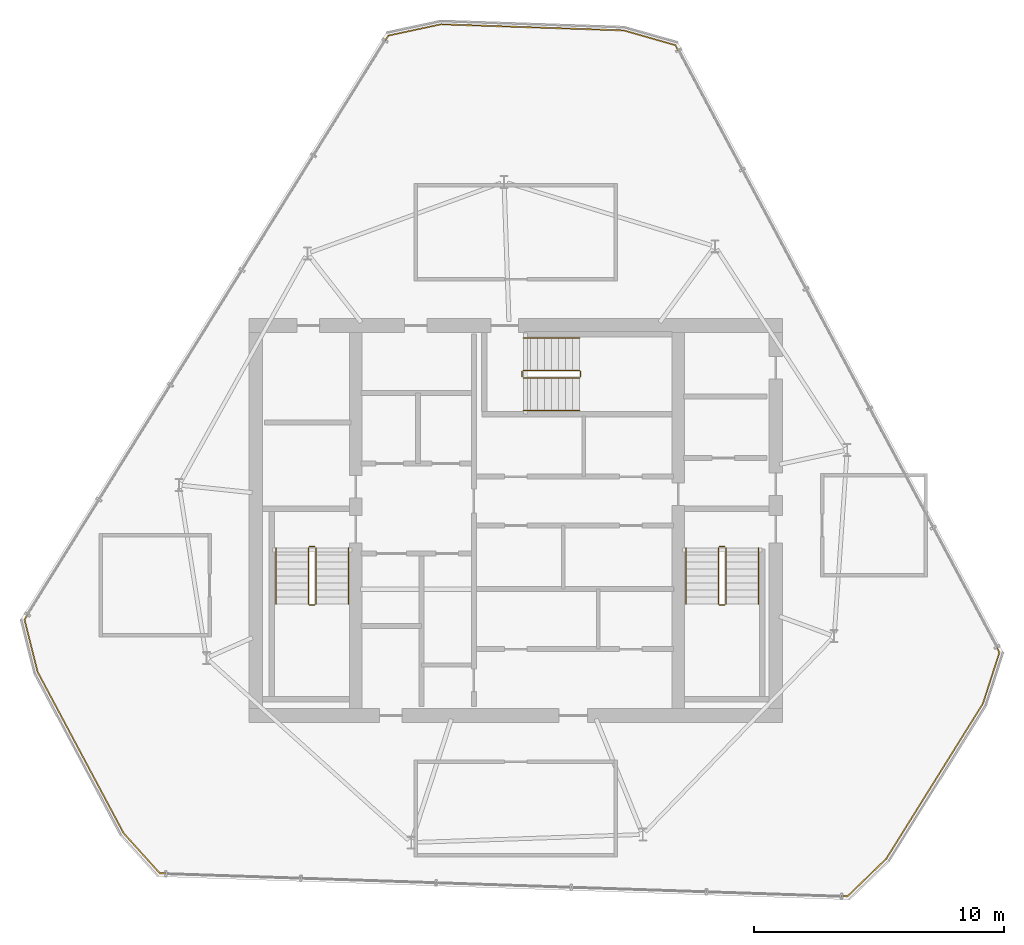
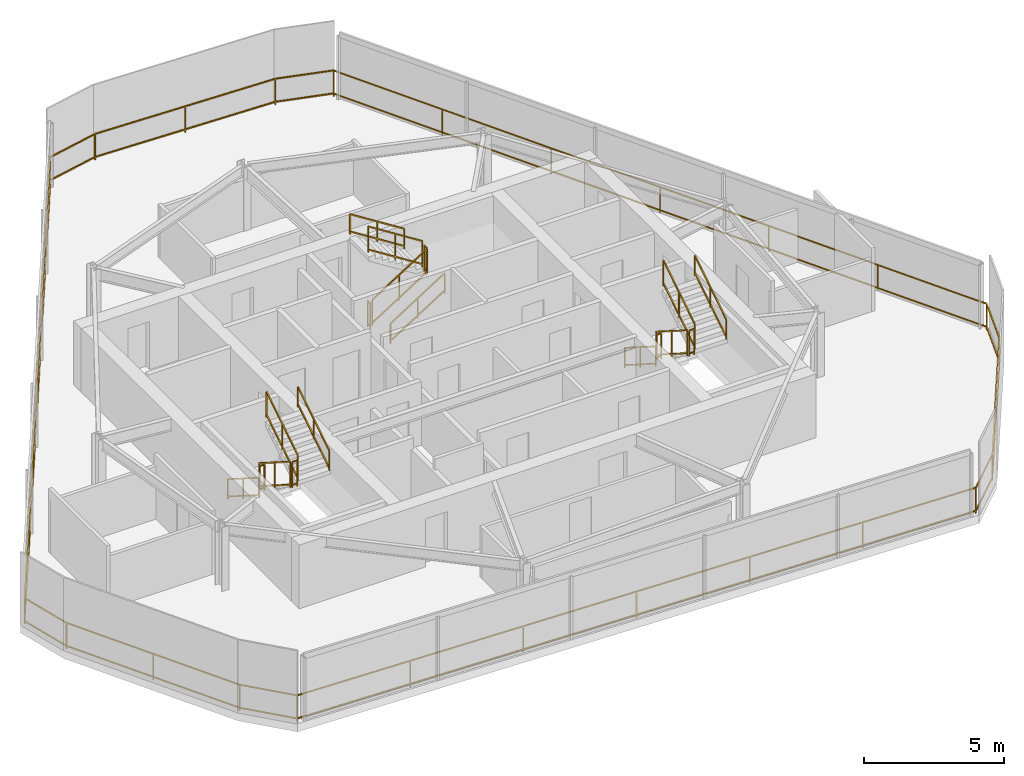
# One storey, part 16 of 16: 19 railings.
"""IFC4 building model written with IfcOpenShell, lengths in metres."""

from ifc_helpers import new_model, si_unit, direction, frame, origin, origin_2d, place, context, subcontext, project, spatial, rectangle, extrude, material, type_object, element, save


model = new_model("IFC4")

# Units and contexts
model_context = context("Model", 3, precision=1e-05, world=origin(), true_north=direction((0.0, 1.0)))
body_context = subcontext(model_context, "Body", "Model", "MODEL_VIEW")
ifc_project = project(units=[si_unit("LENGTHUNIT", "METRE"), si_unit("AREAUNIT", "SQUARE_METRE"), si_unit("VOLUMEUNIT", "CUBIC_METRE"), si_unit("PLANEANGLEUNIT", "RADIAN"), si_unit("MASSUNIT", "GRAM", prefix="KILO")], contexts=[model_context])

# Site, building, storey
site_placement = place(None, origin())
site = spatial("IfcSite", under=ifc_project, at=site_placement, CompositionType="ELEMENT")
building_placement = place(site_placement, origin())
building = spatial("IfcBuilding", under=site, at=building_placement, Name="Qarnah Convention Tower", CompositionType="ELEMENT")
storey_placement = place(building_placement, frame((0.0, 0.0, 286.699951171875)))
storey = spatial("IfcBuildingStorey", under=building, at=storey_placement, Name="L77", CompositionType="ELEMENT", Elevation=286.699951171875)

# Railings
ifc_material_1 = material(Name="Black anodised aluminium", Category="aluminium")
railing_type_1 = type_object("IfcRailingType", Name="RL-EXT-GUARD-1150", PredefinedType="GUARDRAIL", material=ifc_material_1)
railing_1_placement = place(storey_placement, frame((34.2080078125, 46.243896484375, 0.0)))
element("IfcRailing", 1, at=railing_1_placement, inside=storey, type_object=railing_type_1, Name="L77 slab-edge perimeter safety guard 01", PredefinedType="GUARDRAIL", context=body_context, shape_type="SweptSolid", body=[
    extrude(rectangle(XDim=0.048095703125, YDim=0.048095703125, at=origin_2d()), frame((0.0, 0.0, 1.1259765625), z_axis=(0.999438773943, -0.033498315464, 0.0), x_axis=(0.033498315464, 0.999438773943, 0.0)), (0.0, 0.0, 1.0), 7.31005859375),
    extrude(rectangle(XDim=0.048095703125, YDim=0.048095703125, at=origin_2d()), frame((0.0, 0.0, 0.1201171875), z_axis=(0.999438773943, -0.033498315464, 0.0), x_axis=(0.033498315464, 0.999438773943, 0.0)), (0.0, 0.0, 1.0), 7.31005859375),
    extrude(rectangle(XDim=0.048095703125, YDim=0.048095703125, at=origin_2d()), frame((7.305908203125, -0.244873046875, 1.1259765625), z_axis=(0.961571007789, -0.274556363941, 0.0), x_axis=(0.274556363941, 0.961571007789, 0.0)), (0.0, 0.0, 1.0), 2.15283203125),
    extrude(rectangle(XDim=0.048095703125, YDim=0.048095703125, at=origin_2d()), frame((7.305908203125, -0.244873046875, 0.1201171875), z_axis=(0.961571007789, -0.274556363941, 0.0), x_axis=(0.274556363941, 0.961571007789, 0.0)), (0.0, 0.0, 1.0), 2.15283203125),
    extrude(rectangle(XDim=0.048095703125, YDim=0.048095703125, at=origin_2d()), frame((9.3759765625, -0.8359375, 1.1259765625), z_axis=(0.4707373546, -0.882273394693, 0.0), x_axis=(0.882273394693, 0.4707373546, 0.0)), (0.0, 0.0, 1.0), 27.53125),
    extrude(rectangle(XDim=0.048095703125, YDim=0.048095703125, at=origin_2d()), frame((9.3759765625, -0.8359375, 0.1201171875), z_axis=(0.4707373546, -0.882273394693, 0.0), x_axis=(0.882273394693, 0.4707373546, 0.0)), (0.0, 0.0, 1.0), 27.53125),
    extrude(rectangle(XDim=0.048095703125, YDim=0.048095703125, at=origin_2d()), frame((22.3359375, -25.1259765625, 1.1259765625), z_axis=(-0.30781424819, -0.951446471753, 0.0), x_axis=(0.951446471753, -0.30781424819, 0.0)), (0.0, 0.0, 1.0), 2.1533203125),
    extrude(rectangle(XDim=0.048095703125, YDim=0.048095703125, at=origin_2d()), frame((22.3359375, -25.1259765625, 0.1201171875), z_axis=(-0.30781424819, -0.951446471753, 0.0), x_axis=(0.951446471753, -0.30781424819, 0.0)), (0.0, 0.0, 1.0), 2.1533203125),
    extrude(rectangle(XDim=0.048095703125, YDim=0.048095703125, at=origin_2d()), frame((21.673095703125, -27.1748046875, 1.1259765625), z_axis=(-0.528761436204, -0.848770489345, 0.0), x_axis=(0.848770489345, -0.528761436204, 0.0)), (0.0, 0.0, 1.0), 7.3095703125),
    extrude(rectangle(XDim=0.048095703125, YDim=0.048095703125, at=origin_2d()), frame((21.673095703125, -27.1748046875, 0.1201171875), z_axis=(-0.528761436204, -0.848770489345, 0.0), x_axis=(0.848770489345, -0.528761436204, 0.0)), (0.0, 0.0, 1.0), 7.3095703125),
    extrude(rectangle(XDim=0.048095703125, YDim=0.048095703125, at=origin_2d()), frame((17.80810546875, -33.37890625, 1.1259765625), z_axis=(-0.718408396572, -0.695621575093, 0.0), x_axis=(0.695621575093, -0.718408396572, 0.0)), (0.0, 0.0, 1.0), 2.153564453125),
    extrude(rectangle(XDim=0.048095703125, YDim=0.048095703125, at=origin_2d()), frame((17.80810546875, -33.37890625, 0.1201171875), z_axis=(-0.718408396572, -0.695621575093, 0.0), x_axis=(0.695621575093, -0.718408396572, 0.0)), (0.0, 0.0, 1.0), 2.153564453125),
    extrude(rectangle(XDim=0.048095703125, YDim=0.048095703125, at=origin_2d()), frame((16.260986328125, -34.876953125, 1.1259765625), z_axis=(-0.999438896744, 0.033494651449, 0.0), x_axis=(-0.033494651449, -0.999438896744, 0.0)), (0.0, 0.0, 1.0), 27.5302734375),
    extrude(rectangle(XDim=0.048095703125, YDim=0.048095703125, at=origin_2d()), frame((16.260986328125, -34.876953125, 0.1201171875), z_axis=(-0.999438896744, 0.033494651449, 0.0), x_axis=(-0.033494651449, -0.999438896744, 0.0)), (0.0, 0.0, 1.0), 27.5302734375),
    extrude(rectangle(XDim=0.048095703125, YDim=0.048095703125, at=origin_2d()), frame((-11.25390625, -33.954833984375, 1.1259765625), z_axis=(-0.670247983909, 0.742137211078, 0.0), x_axis=(-0.742137211078, -0.670247983909, 0.0)), (0.0, 0.0, 1.0), 2.153076171875),
    extrude(rectangle(XDim=0.048095703125, YDim=0.048095703125, at=origin_2d()), frame((-11.25390625, -33.954833984375, 0.1201171875), z_axis=(-0.670247983909, 0.742137211078, 0.0), x_axis=(-0.742137211078, -0.670247983909, 0.0)), (0.0, 0.0, 1.0), 2.153076171875),
    extrude(rectangle(XDim=0.048095703125, YDim=0.048095703125, at=origin_2d()), frame((-12.697021484375, -32.35693359375, 1.1259765625), z_axis=(-0.470584768319, 0.882354790221, 0.0), x_axis=(-0.882354790221, -0.470584768319, 0.0)), (0.0, 0.0, 1.0), 7.309814453125),
    extrude(rectangle(XDim=0.048095703125, YDim=0.048095703125, at=origin_2d()), frame((-12.697021484375, -32.35693359375, 0.1201171875), z_axis=(-0.470584768319, 0.882354790221, 0.0), x_axis=(-0.882354790221, -0.470584768319, 0.0)), (0.0, 0.0, 1.0), 7.309814453125),
    extrude(rectangle(XDim=0.048095703125, YDim=0.048095703125, at=origin_2d()), frame((-16.136962890625, -25.906982421875, 1.1259765625), z_axis=(-0.243896033823, 0.969801384143, 0.0), x_axis=(-0.969801384143, -0.243896033823, 0.0)), (0.0, 0.0, 1.0), 2.153076171875),
    extrude(rectangle(XDim=0.048095703125, YDim=0.048095703125, at=origin_2d()), frame((-16.136962890625, -25.906982421875, 0.1201171875), z_axis=(-0.243896033823, 0.969801384143, 0.0), x_axis=(-0.969801384143, -0.243896033823, 0.0)), (0.0, 0.0, 1.0), 2.153076171875),
    extrude(rectangle(XDim=0.048095703125, YDim=0.048095703125, at=origin_2d()), frame((-16.662109375, -23.81884765625, 1.1259765625), z_axis=(0.528723750684, 0.84879396526, 0.0), x_axis=(-0.84879396526, 0.528723750684, 0.0)), (0.0, 0.0, 1.0), 27.53076171875),
    extrude(rectangle(XDim=0.048095703125, YDim=0.048095703125, at=origin_2d()), frame((-16.662109375, -23.81884765625, 0.1201171875), z_axis=(0.528723750684, 0.84879396526, 0.0), x_axis=(-0.84879396526, 0.528723750684, 0.0)), (0.0, 0.0, 1.0), 27.53076171875),
    extrude(rectangle(XDim=0.048095703125, YDim=0.048095703125, at=origin_2d()), frame((-2.10595703125, -0.450927734375, 1.1259765625), z_axis=(0.977835580091, 0.209374254165, 0.0), x_axis=(-0.209374254165, 0.977835580091, 0.0)), (0.0, 0.0, 1.0), 2.15380859375),
    extrude(rectangle(XDim=0.048095703125, YDim=0.048095703125, at=origin_2d()), frame((-2.10595703125, -0.450927734375, 0.1201171875), z_axis=(0.977835580091, 0.209374254165, 0.0), x_axis=(-0.209374254165, 0.977835580091, 0.0)), (0.0, 0.0, 1.0), 2.15380859375),
    extrude(rectangle(XDim=0.0419921875, YDim=0.0419921875, at=origin_2d()), origin(), (0.0, 0.0, 1.0), 1.101806640625),
    extrude(rectangle(XDim=0.0419921875, YDim=0.0419921875, at=origin_2d()), frame((3.65283203125, -0.12255859375, 0.0)), (0.0, 0.0, 1.0), 1.101806640625),
    extrude(rectangle(XDim=0.0419921875, YDim=0.0419921875, at=origin_2d()), frame((7.305908203125, -0.244873046875, 0.0)), (0.0, 0.0, 1.0), 1.101806640625),
    extrude(rectangle(XDim=0.0419921875, YDim=0.0419921875, at=origin_2d()), frame((9.3759765625, -0.8359375, 0.0)), (0.0, 0.0, 1.0), 1.101806640625),
    extrude(rectangle(XDim=0.0419921875, YDim=0.0419921875, at=origin_2d()), frame((11.535888671875, -4.88427734375, 0.0)), (0.0, 0.0, 1.0), 1.101806640625),
    extrude(rectangle(XDim=0.0419921875, YDim=0.0419921875, at=origin_2d()), frame((13.696044921875, -8.9326171875, 0.0)), (0.0, 0.0, 1.0), 1.101806640625),
    extrude(rectangle(XDim=0.0419921875, YDim=0.0419921875, at=origin_2d()), frame((15.85595703125, -12.98095703125, 0.0)), (0.0, 0.0, 1.0), 1.101806640625),
    extrude(rectangle(XDim=0.0419921875, YDim=0.0419921875, at=origin_2d()), frame((18.015869140625, -17.029296875, 0.0)), (0.0, 0.0, 1.0), 1.101806640625),
    extrude(rectangle(XDim=0.0419921875, YDim=0.0419921875, at=origin_2d()), frame((20.176025390625, -21.07763671875, 0.0)), (0.0, 0.0, 1.0), 1.101806640625),
    extrude(rectangle(XDim=0.0419921875, YDim=0.0419921875, at=origin_2d()), frame((22.3359375, -25.1259765625, 0.0)), (0.0, 0.0, 1.0), 1.101806640625),
    extrude(rectangle(XDim=0.0419921875, YDim=0.0419921875, at=origin_2d()), frame((21.673095703125, -27.1748046875, 0.0)), (0.0, 0.0, 1.0), 1.101806640625),
    extrude(rectangle(XDim=0.0419921875, YDim=0.0419921875, at=origin_2d()), frame((19.74072265625, -30.27685546875, 0.0)), (0.0, 0.0, 1.0), 1.101806640625),
    extrude(rectangle(XDim=0.0419921875, YDim=0.0419921875, at=origin_2d()), frame((17.80810546875, -33.37890625, 0.0)), (0.0, 0.0, 1.0), 1.101806640625),
    extrude(rectangle(XDim=0.0419921875, YDim=0.0419921875, at=origin_2d()), frame((16.260986328125, -34.876953125, 0.0)), (0.0, 0.0, 1.0), 1.101806640625),
    extrude(rectangle(XDim=0.0419921875, YDim=0.0419921875, at=origin_2d()), frame((11.67529296875, -34.72314453125, 0.0)), (0.0, 0.0, 1.0), 1.101806640625),
    extrude(rectangle(XDim=0.0419921875, YDim=0.0419921875, at=origin_2d()), frame((7.08935546875, -34.569580078125, 0.0)), (0.0, 0.0, 1.0), 1.101806640625),
    extrude(rectangle(XDim=0.0419921875, YDim=0.0419921875, at=origin_2d()), frame((2.50341796875, -34.416015625, 0.0)), (0.0, 0.0, 1.0), 1.101806640625),
    extrude(rectangle(XDim=0.0419921875, YDim=0.0419921875, at=origin_2d()), frame((-2.082275390625, -34.26220703125, 0.0)), (0.0, 0.0, 1.0), 1.101806640625),
    extrude(rectangle(XDim=0.0419921875, YDim=0.0419921875, at=origin_2d()), frame((-6.66796875, -34.1083984375, 0.0)), (0.0, 0.0, 1.0), 1.101806640625),
    extrude(rectangle(XDim=0.0419921875, YDim=0.0419921875, at=origin_2d()), frame((-11.25390625, -33.954833984375, 0.0)), (0.0, 0.0, 1.0), 1.101806640625),
    extrude(rectangle(XDim=0.0419921875, YDim=0.0419921875, at=origin_2d()), frame((-12.697021484375, -32.35693359375, 0.0)), (0.0, 0.0, 1.0), 1.101806640625),
    extrude(rectangle(XDim=0.0419921875, YDim=0.0419921875, at=origin_2d()), frame((-14.4169921875, -29.1318359375, 0.0)), (0.0, 0.0, 1.0), 1.101806640625),
    extrude(rectangle(XDim=0.0419921875, YDim=0.0419921875, at=origin_2d()), frame((-16.136962890625, -25.906982421875, 0.0)), (0.0, 0.0, 1.0), 1.101806640625),
    extrude(rectangle(XDim=0.0419921875, YDim=0.0419921875, at=origin_2d()), frame((-16.662109375, -23.81884765625, 0.0)), (0.0, 0.0, 1.0), 1.101806640625),
    extrude(rectangle(XDim=0.0419921875, YDim=0.0419921875, at=origin_2d()), frame((-14.236083984375, -19.92431640625, 0.0)), (0.0, 0.0, 1.0), 1.101806640625),
    extrude(rectangle(XDim=0.0419921875, YDim=0.0419921875, at=origin_2d()), frame((-11.81005859375, -16.029541015625, 0.0)), (0.0, 0.0, 1.0), 1.101806640625),
    extrude(rectangle(XDim=0.0419921875, YDim=0.0419921875, at=origin_2d()), frame((-9.384033203125, -12.134765625, 0.0)), (0.0, 0.0, 1.0), 1.101806640625),
    extrude(rectangle(XDim=0.0419921875, YDim=0.0419921875, at=origin_2d()), frame((-6.9580078125, -8.240234375, 0.0)), (0.0, 0.0, 1.0), 1.101806640625),
    extrude(rectangle(XDim=0.0419921875, YDim=0.0419921875, at=origin_2d()), frame((-4.531982421875, -4.345703125, 0.0)), (0.0, 0.0, 1.0), 1.101806640625),
    extrude(rectangle(XDim=0.0419921875, YDim=0.0419921875, at=origin_2d()), frame((-2.10595703125, -0.450927734375, 0.0)), (0.0, 0.0, 1.0), 1.101806640625),
])
ifc_material_2 = material(Name="Structural steel S355JR", Category="steel")
railing_type_2 = type_object("IfcRailingType", Name="RL-STAIR-GUARD-1150", PredefinedType="GUARDRAIL", material=ifc_material_2)
railing_2_placement = place(storey_placement, frame((28.89990234375, 25.300048828125, 0.177734375)))
element("IfcRailing", 2, at=railing_2_placement, inside=storey, type_object=railing_type_2, Name="L77 ST-1 stair guard 1", PredefinedType="GUARDRAIL", context=body_context, shape_type="SweptSolid", body=[
    extrude(rectangle(XDim=0.048095703125, YDim=0.048095703125, at=origin_2d()), frame((0.0, 0.0, 1.1259765625), z_axis=(0.0, -0.84418770128, 0.536047689118), x_axis=(1.0, 0.0, 0.0)), (0.0, 0.0, 1.0), 2.6533203125),
    extrude(rectangle(XDim=0.048095703125, YDim=0.048095703125, at=origin_2d()), frame((0.0, 0.0, 0.1201171875), z_axis=(0.0, -0.84418770128, 0.536047689118), x_axis=(1.0, 0.0, 0.0)), (0.0, 0.0, 1.0), 2.6533203125),
    extrude(rectangle(XDim=0.0419921875, YDim=0.0419921875, at=origin_2d()), origin(), (0.0, 0.0, 1.0), 1.101806640625),
    extrude(rectangle(XDim=0.0419921875, YDim=0.0419921875, at=origin_2d()), frame((0.0, -1.1201171875, 0.711181640625)), (0.0, 0.0, 1.0), 1.101806640625),
    extrude(rectangle(XDim=0.0419921875, YDim=0.0419921875, at=origin_2d()), frame((0.0, -2.239990234375, 1.42236328125)), (0.0, 0.0, 1.0), 1.101806640625),
])
railing_3_placement = place(storey_placement, frame((28.949951171875, 23.010009765625, 1.60009765625)))
element("IfcRailing", 3, at=railing_3_placement, inside=storey, type_object=railing_type_2, Name="L77 ST-1 stair guard 2", PredefinedType="GUARDRAIL", context=body_context, shape_type="SweptSolid", body=[
    extrude(rectangle(XDim=0.048095703125, YDim=0.048095703125, at=origin_2d()), frame((0.0, 0.0, 1.1259765625), z_axis=(1.0, 0.0, 0.0), x_axis=(0.0, 1.0, 0.0)), (0.0, 0.0, 1.0), 0.199951171875),
    extrude(rectangle(XDim=0.048095703125, YDim=0.048095703125, at=origin_2d()), frame((0.0, 0.0, 0.1201171875), z_axis=(1.0, 0.0, 0.0), x_axis=(0.0, 1.0, 0.0)), (0.0, 0.0, 1.0), 0.199951171875),
    extrude(rectangle(XDim=0.0419921875, YDim=0.0419921875, at=origin_2d()), origin(), (0.0, 0.0, 1.0), 1.101806640625),
    extrude(rectangle(XDim=0.0419921875, YDim=0.0419921875, at=origin_2d()), frame((0.199951171875, 0.0, 0.0)), (0.0, 0.0, 1.0), 1.101806640625),
])
railing_4_placement = place(storey_placement, frame((29.199951171875, 23.06005859375, 1.77783203125)))
element("IfcRailing", 4, at=railing_4_placement, inside=storey, type_object=railing_type_2, Name="L77 ST-1 stair guard 3", PredefinedType="GUARDRAIL", context=body_context, shape_type="SweptSolid", body=[
    extrude(rectangle(XDim=0.048095703125, YDim=0.048095703125, at=origin_2d()), frame((0.0, 0.0, 1.1259765625), z_axis=(0.0, 0.8442293374, 0.53598211339), x_axis=(-1.0, 0.0, 0.0)), (0.0, 0.0, 1.0), 2.6533203125),
    extrude(rectangle(XDim=0.048095703125, YDim=0.048095703125, at=origin_2d()), frame((0.0, 0.0, 0.1201171875), z_axis=(0.0, 0.8442293374, 0.53598211339), x_axis=(-1.0, 0.0, 0.0)), (0.0, 0.0, 1.0), 2.6533203125),
    extrude(rectangle(XDim=0.0419921875, YDim=0.0419921875, at=origin_2d()), origin(), (0.0, 0.0, 1.0), 1.101806640625),
    extrude(rectangle(XDim=0.0419921875, YDim=0.0419921875, at=origin_2d()), frame((0.0, 1.1201171875, 0.7109375)), (0.0, 0.0, 1.0), 1.101806640625),
    extrude(rectangle(XDim=0.0419921875, YDim=0.0419921875, at=origin_2d()), frame((0.0, 2.239990234375, 1.422119140625)), (0.0, 0.0, 1.0), 1.101806640625),
])
railing_5_placement = place(storey_placement, frame((28.949951171875, 25.35009765625, 0.0)))
element("IfcRailing", 5, at=railing_5_placement, inside=storey, type_object=railing_type_2, Name="L77 ST-1 stair guard 4", PredefinedType="GUARDRAIL", context=body_context, shape_type="SweptSolid", body=[
    extrude(rectangle(XDim=0.048095703125, YDim=0.048095703125, at=origin_2d()), frame((0.0, 0.0, 1.1259765625), z_axis=(1.0, 0.0, 0.0), x_axis=(0.0, 1.0, 0.0)), (0.0, 0.0, 1.0), 0.199951171875),
    extrude(rectangle(XDim=0.048095703125, YDim=0.048095703125, at=origin_2d()), frame((0.0, 0.0, 0.1201171875), z_axis=(1.0, 0.0, 0.0), x_axis=(0.0, 1.0, 0.0)), (0.0, 0.0, 1.0), 0.199951171875),
    extrude(rectangle(XDim=0.0419921875, YDim=0.0419921875, at=origin_2d()), origin(), (0.0, 0.0, 1.0), 1.101806640625),
    extrude(rectangle(XDim=0.0419921875, YDim=0.0419921875, at=origin_2d()), frame((0.199951171875, 0.0, 0.0)), (0.0, 0.0, 1.0), 1.101806640625),
])
railing_6_placement = place(storey_placement, frame((45.300048828125, 25.300048828125, 0.177734375)))
element("IfcRailing", 6, at=railing_6_placement, inside=storey, type_object=railing_type_2, Name="L77 ST-2 stair guard 1", PredefinedType="GUARDRAIL", context=body_context, shape_type="SweptSolid", body=[
    extrude(rectangle(XDim=0.048095703125, YDim=0.048095703125, at=origin_2d()), frame((0.0, 0.0, 1.1259765625), z_axis=(0.0, -0.84418770128, 0.536047689118), x_axis=(1.0, 0.0, 0.0)), (0.0, 0.0, 1.0), 2.6533203125),
    extrude(rectangle(XDim=0.048095703125, YDim=0.048095703125, at=origin_2d()), frame((0.0, 0.0, 0.1201171875), z_axis=(0.0, -0.84418770128, 0.536047689118), x_axis=(1.0, 0.0, 0.0)), (0.0, 0.0, 1.0), 2.6533203125),
    extrude(rectangle(XDim=0.0419921875, YDim=0.0419921875, at=origin_2d()), origin(), (0.0, 0.0, 1.0), 1.101806640625),
    extrude(rectangle(XDim=0.0419921875, YDim=0.0419921875, at=origin_2d()), frame((0.0, -1.1201171875, 0.711181640625)), (0.0, 0.0, 1.0), 1.101806640625),
    extrude(rectangle(XDim=0.0419921875, YDim=0.0419921875, at=origin_2d()), frame((0.0, -2.239990234375, 1.42236328125)), (0.0, 0.0, 1.0), 1.101806640625),
])
railing_7_placement = place(storey_placement, frame((45.35009765625, 23.010009765625, 1.60009765625)))
element("IfcRailing", 7, at=railing_7_placement, inside=storey, type_object=railing_type_2, Name="L77 ST-2 stair guard 2", PredefinedType="GUARDRAIL", context=body_context, shape_type="SweptSolid", body=[
    extrude(rectangle(XDim=0.048095703125, YDim=0.048095703125, at=origin_2d()), frame((0.0, 0.0, 1.1259765625), z_axis=(1.0, 0.0, 0.0), x_axis=(0.0, 1.0, 0.0)), (0.0, 0.0, 1.0), 0.199951171875),
    extrude(rectangle(XDim=0.048095703125, YDim=0.048095703125, at=origin_2d()), frame((0.0, 0.0, 0.1201171875), z_axis=(1.0, 0.0, 0.0), x_axis=(0.0, 1.0, 0.0)), (0.0, 0.0, 1.0), 0.199951171875),
    extrude(rectangle(XDim=0.0419921875, YDim=0.0419921875, at=origin_2d()), origin(), (0.0, 0.0, 1.0), 1.101806640625),
    extrude(rectangle(XDim=0.0419921875, YDim=0.0419921875, at=origin_2d()), frame((0.199951171875, 0.0, 0.0)), (0.0, 0.0, 1.0), 1.101806640625),
])
railing_8_placement = place(storey_placement, frame((45.60009765625, 23.06005859375, 1.77783203125)))
element("IfcRailing", 8, at=railing_8_placement, inside=storey, type_object=railing_type_2, Name="L77 ST-2 stair guard 3", PredefinedType="GUARDRAIL", context=body_context, shape_type="SweptSolid", body=[
    extrude(rectangle(XDim=0.048095703125, YDim=0.048095703125, at=origin_2d()), frame((0.0, 0.0, 1.1259765625), z_axis=(0.0, 0.8442293374, 0.53598211339), x_axis=(-1.0, 0.0, 0.0)), (0.0, 0.0, 1.0), 2.6533203125),
    extrude(rectangle(XDim=0.048095703125, YDim=0.048095703125, at=origin_2d()), frame((0.0, 0.0, 0.1201171875), z_axis=(0.0, 0.8442293374, 0.53598211339), x_axis=(-1.0, 0.0, 0.0)), (0.0, 0.0, 1.0), 2.6533203125),
    extrude(rectangle(XDim=0.0419921875, YDim=0.0419921875, at=origin_2d()), origin(), (0.0, 0.0, 1.0), 1.101806640625),
    extrude(rectangle(XDim=0.0419921875, YDim=0.0419921875, at=origin_2d()), frame((0.0, 1.1201171875, 0.7109375)), (0.0, 0.0, 1.0), 1.101806640625),
    extrude(rectangle(XDim=0.0419921875, YDim=0.0419921875, at=origin_2d()), frame((0.0, 2.239990234375, 1.422119140625)), (0.0, 0.0, 1.0), 1.101806640625),
])
railing_9_placement = place(storey_placement, frame((45.35009765625, 25.35009765625, 0.0)))
element("IfcRailing", 9, at=railing_9_placement, inside=storey, type_object=railing_type_2, Name="L77 ST-2 stair guard 4", PredefinedType="GUARDRAIL", context=body_context, shape_type="SweptSolid", body=[
    extrude(rectangle(XDim=0.048095703125, YDim=0.048095703125, at=origin_2d()), frame((0.0, 0.0, 1.1259765625), z_axis=(1.0, 0.0, 0.0), x_axis=(0.0, 1.0, 0.0)), (0.0, 0.0, 1.0), 0.199951171875),
    extrude(rectangle(XDim=0.048095703125, YDim=0.048095703125, at=origin_2d()), frame((0.0, 0.0, 0.1201171875), z_axis=(1.0, 0.0, 0.0), x_axis=(0.0, 1.0, 0.0)), (0.0, 0.0, 1.0), 0.199951171875),
    extrude(rectangle(XDim=0.0419921875, YDim=0.0419921875, at=origin_2d()), origin(), (0.0, 0.0, 1.0), 1.101806640625),
    extrude(rectangle(XDim=0.0419921875, YDim=0.0419921875, at=origin_2d()), frame((0.199951171875, 0.0, 0.0)), (0.0, 0.0, 1.0), 1.101806640625),
])
railing_10_placement = place(storey_placement, frame((37.5, 32.10009765625, 0.177734375)))
element("IfcRailing", 10, at=railing_10_placement, inside=storey, type_object=railing_type_2, Name="L77 ST-3 stair guard 1", PredefinedType="GUARDRAIL", context=body_context, shape_type="SweptSolid", body=[
    extrude(rectangle(XDim=0.048095703125, YDim=0.048095703125, at=origin_2d()), frame((0.0, 0.0, 1.1259765625), z_axis=(0.84418770128, 0.0, 0.536047689118), x_axis=(0.0, 1.0, 0.0)), (0.0, 0.0, 1.0), 2.6533203125),
    extrude(rectangle(XDim=0.048095703125, YDim=0.048095703125, at=origin_2d()), frame((0.0, 0.0, 0.1201171875), z_axis=(0.84418770128, 0.0, 0.536047689118), x_axis=(0.0, 1.0, 0.0)), (0.0, 0.0, 1.0), 2.6533203125),
    extrude(rectangle(XDim=0.0419921875, YDim=0.0419921875, at=origin_2d()), origin(), (0.0, 0.0, 1.0), 1.101806640625),
    extrude(rectangle(XDim=0.0419921875, YDim=0.0419921875, at=origin_2d()), frame((1.1201171875, 0.0, 0.711181640625)), (0.0, 0.0, 1.0), 1.101806640625),
    extrude(rectangle(XDim=0.0419921875, YDim=0.0419921875, at=origin_2d()), frame((2.239990234375, 0.0, 1.42236328125)), (0.0, 0.0, 1.0), 1.101806640625),
])
railing_11_placement = place(storey_placement, frame((39.7900390625, 32.14990234375, 1.60009765625)))
element("IfcRailing", 11, at=railing_11_placement, inside=storey, type_object=railing_type_2, Name="L77 ST-3 stair guard 2", PredefinedType="GUARDRAIL", context=body_context, shape_type="SweptSolid", body=[
    extrude(rectangle(XDim=0.048095703125, YDim=0.048095703125, at=origin_2d()), frame((0.0, 0.0, 1.1259765625), z_axis=(0.0, 1.0, 0.0), x_axis=(-1.0, 0.0, 0.0)), (0.0, 0.0, 1.0), 0.2001953125),
    extrude(rectangle(XDim=0.048095703125, YDim=0.048095703125, at=origin_2d()), frame((0.0, 0.0, 0.1201171875), z_axis=(0.0, 1.0, 0.0), x_axis=(-1.0, 0.0, 0.0)), (0.0, 0.0, 1.0), 0.2001953125),
    extrude(rectangle(XDim=0.0419921875, YDim=0.0419921875, at=origin_2d()), origin(), (0.0, 0.0, 1.0), 1.101806640625),
    extrude(rectangle(XDim=0.0419921875, YDim=0.0419921875, at=origin_2d()), frame((0.0, 0.2001953125, 0.0)), (0.0, 0.0, 1.0), 1.101806640625),
])
railing_12_placement = place(storey_placement, frame((39.739990234375, 32.39990234375, 1.77783203125)))
element("IfcRailing", 12, at=railing_12_placement, inside=storey, type_object=railing_type_2, Name="L77 ST-3 stair guard 3", PredefinedType="GUARDRAIL", context=body_context, shape_type="SweptSolid", body=[
    extrude(rectangle(XDim=0.048095703125, YDim=0.048095703125, at=origin_2d()), frame((0.0, 0.0, 1.1259765625), z_axis=(-0.8442293374, 0.0, 0.53598211339), x_axis=(0.0, -1.0, 0.0)), (0.0, 0.0, 1.0), 2.6533203125),
    extrude(rectangle(XDim=0.048095703125, YDim=0.048095703125, at=origin_2d()), frame((0.0, 0.0, 0.1201171875), z_axis=(-0.8442293374, 0.0, 0.53598211339), x_axis=(0.0, -1.0, 0.0)), (0.0, 0.0, 1.0), 2.6533203125),
    extrude(rectangle(XDim=0.0419921875, YDim=0.0419921875, at=origin_2d()), origin(), (0.0, 0.0, 1.0), 1.101806640625),
    extrude(rectangle(XDim=0.0419921875, YDim=0.0419921875, at=origin_2d()), frame((-1.1201171875, 0.0, 0.7109375)), (0.0, 0.0, 1.0), 1.101806640625),
    extrude(rectangle(XDim=0.0419921875, YDim=0.0419921875, at=origin_2d()), frame((-2.239990234375, 0.0, 1.422119140625)), (0.0, 0.0, 1.0), 1.101806640625),
])
railing_13_placement = place(storey_placement, frame((37.449951171875, 32.14990234375, 0.0)))
element("IfcRailing", 13, at=railing_13_placement, inside=storey, type_object=railing_type_2, Name="L77 ST-3 stair guard 4", PredefinedType="GUARDRAIL", context=body_context, shape_type="SweptSolid", body=[
    extrude(rectangle(XDim=0.048095703125, YDim=0.048095703125, at=origin_2d()), frame((0.0, 0.0, 1.1259765625), z_axis=(0.0, 1.0, 0.0), x_axis=(-1.0, 0.0, 0.0)), (0.0, 0.0, 1.0), 0.2001953125),
    extrude(rectangle(XDim=0.048095703125, YDim=0.048095703125, at=origin_2d()), frame((0.0, 0.0, 0.1201171875), z_axis=(0.0, 1.0, 0.0), x_axis=(-1.0, 0.0, 0.0)), (0.0, 0.0, 1.0), 0.2001953125),
    extrude(rectangle(XDim=0.0419921875, YDim=0.0419921875, at=origin_2d()), origin(), (0.0, 0.0, 1.0), 1.101806640625),
    extrude(rectangle(XDim=0.0419921875, YDim=0.0419921875, at=origin_2d()), frame((0.0, 0.2001953125, 0.0)), (0.0, 0.0, 1.0), 1.101806640625),
])
railing_type_3 = type_object("IfcRailingType", Name="RL-STAIR-HAND-900", PredefinedType="HANDRAIL", material=ifc_material_2)
railing_14_placement = place(storey_placement, frame((27.60009765625, 25.300048828125, 0.177734375)))
element("IfcRailing", 14, at=railing_14_placement, inside=storey, type_object=railing_type_3, Name="L77 ST-1 stair handrail 1", PredefinedType="HANDRAIL", context=body_context, shape_type="SweptSolid", body=[
    extrude(rectangle(XDim=0.048095703125, YDim=0.048095703125, at=origin_2d()), frame((0.0, 0.0, 0.8759765625), z_axis=(0.0, -0.84418770128, 0.536047689118), x_axis=(1.0, 0.0, 0.0)), (0.0, 0.0, 1.0), 2.6533203125),
    extrude(rectangle(XDim=0.048095703125, YDim=0.048095703125, at=origin_2d()), frame((0.0, 0.0, 0.1201171875), z_axis=(0.0, -0.84418770128, 0.536047689118), x_axis=(1.0, 0.0, 0.0)), (0.0, 0.0, 1.0), 2.6533203125),
    extrude(rectangle(XDim=0.0419921875, YDim=0.0419921875, at=origin_2d()), origin(), (0.0, 0.0, 1.0), 0.851806640625),
    extrude(rectangle(XDim=0.0419921875, YDim=0.0419921875, at=origin_2d()), frame((0.0, -1.1201171875, 0.711181640625)), (0.0, 0.0, 1.0), 0.851806640625),
    extrude(rectangle(XDim=0.0419921875, YDim=0.0419921875, at=origin_2d()), frame((0.0, -2.239990234375, 1.42236328125)), (0.0, 0.0, 1.0), 0.851806640625),
])
railing_15_placement = place(storey_placement, frame((30.5, 23.06005859375, 1.77783203125)))
element("IfcRailing", 15, at=railing_15_placement, inside=storey, type_object=railing_type_3, Name="L77 ST-1 stair handrail 2", PredefinedType="HANDRAIL", context=body_context, shape_type="SweptSolid", body=[
    extrude(rectangle(XDim=0.048095703125, YDim=0.048095703125, at=origin_2d()), frame((0.0, 0.0, 0.8759765625), z_axis=(0.0, 0.8442293374, 0.53598211339), x_axis=(-1.0, 0.0, 0.0)), (0.0, 0.0, 1.0), 2.6533203125),
    extrude(rectangle(XDim=0.048095703125, YDim=0.048095703125, at=origin_2d()), frame((0.0, 0.0, 0.1201171875), z_axis=(0.0, 0.8442293374, 0.53598211339), x_axis=(-1.0, 0.0, 0.0)), (0.0, 0.0, 1.0), 2.6533203125),
    extrude(rectangle(XDim=0.0419921875, YDim=0.0419921875, at=origin_2d()), origin(), (0.0, 0.0, 1.0), 0.851806640625),
    extrude(rectangle(XDim=0.0419921875, YDim=0.0419921875, at=origin_2d()), frame((0.0, 1.1201171875, 0.7109375)), (0.0, 0.0, 1.0), 0.851806640625),
    extrude(rectangle(XDim=0.0419921875, YDim=0.0419921875, at=origin_2d()), frame((0.0, 2.239990234375, 1.422119140625)), (0.0, 0.0, 1.0), 0.851806640625),
])
railing_16_placement = place(storey_placement, frame((44.0, 25.300048828125, 0.177734375)))
element("IfcRailing", 16, at=railing_16_placement, inside=storey, type_object=railing_type_3, Name="L77 ST-2 stair handrail 1", PredefinedType="HANDRAIL", context=body_context, shape_type="SweptSolid", body=[
    extrude(rectangle(XDim=0.048095703125, YDim=0.048095703125, at=origin_2d()), frame((0.0, 0.0, 0.8759765625), z_axis=(0.0, -0.84418770128, 0.536047689118), x_axis=(1.0, 0.0, 0.0)), (0.0, 0.0, 1.0), 2.6533203125),
    extrude(rectangle(XDim=0.048095703125, YDim=0.048095703125, at=origin_2d()), frame((0.0, 0.0, 0.1201171875), z_axis=(0.0, -0.84418770128, 0.536047689118), x_axis=(1.0, 0.0, 0.0)), (0.0, 0.0, 1.0), 2.6533203125),
    extrude(rectangle(XDim=0.0419921875, YDim=0.0419921875, at=origin_2d()), origin(), (0.0, 0.0, 1.0), 0.851806640625),
    extrude(rectangle(XDim=0.0419921875, YDim=0.0419921875, at=origin_2d()), frame((0.0, -1.1201171875, 0.711181640625)), (0.0, 0.0, 1.0), 0.851806640625),
    extrude(rectangle(XDim=0.0419921875, YDim=0.0419921875, at=origin_2d()), frame((0.0, -2.239990234375, 1.42236328125)), (0.0, 0.0, 1.0), 0.851806640625),
])
railing_17_placement = place(storey_placement, frame((46.89990234375, 23.06005859375, 1.77783203125)))
element("IfcRailing", 17, at=railing_17_placement, inside=storey, type_object=railing_type_3, Name="L77 ST-2 stair handrail 2", PredefinedType="HANDRAIL", context=body_context, shape_type="SweptSolid", body=[
    extrude(rectangle(XDim=0.048095703125, YDim=0.048095703125, at=origin_2d()), frame((0.0, 0.0, 0.8759765625), z_axis=(0.0, 0.8442293374, 0.53598211339), x_axis=(-1.0, 0.0, 0.0)), (0.0, 0.0, 1.0), 2.6533203125),
    extrude(rectangle(XDim=0.048095703125, YDim=0.048095703125, at=origin_2d()), frame((0.0, 0.0, 0.1201171875), z_axis=(0.0, 0.8442293374, 0.53598211339), x_axis=(-1.0, 0.0, 0.0)), (0.0, 0.0, 1.0), 2.6533203125),
    extrude(rectangle(XDim=0.0419921875, YDim=0.0419921875, at=origin_2d()), origin(), (0.0, 0.0, 1.0), 0.851806640625),
    extrude(rectangle(XDim=0.0419921875, YDim=0.0419921875, at=origin_2d()), frame((0.0, 1.1201171875, 0.7109375)), (0.0, 0.0, 1.0), 0.851806640625),
    extrude(rectangle(XDim=0.0419921875, YDim=0.0419921875, at=origin_2d()), frame((0.0, 2.239990234375, 1.422119140625)), (0.0, 0.0, 1.0), 0.851806640625),
])
railing_18_placement = place(storey_placement, frame((37.5, 30.800048828125, 0.177734375)))
element("IfcRailing", 18, at=railing_18_placement, inside=storey, type_object=railing_type_3, Name="L77 ST-3 stair handrail 1", PredefinedType="HANDRAIL", context=body_context, shape_type="SweptSolid", body=[
    extrude(rectangle(XDim=0.048095703125, YDim=0.048095703125, at=origin_2d()), frame((0.0, 0.0, 0.8759765625), z_axis=(0.84418770128, 0.0, 0.536047689118), x_axis=(0.0, 1.0, 0.0)), (0.0, 0.0, 1.0), 2.6533203125),
    extrude(rectangle(XDim=0.048095703125, YDim=0.048095703125, at=origin_2d()), frame((0.0, 0.0, 0.1201171875), z_axis=(0.84418770128, 0.0, 0.536047689118), x_axis=(0.0, 1.0, 0.0)), (0.0, 0.0, 1.0), 2.6533203125),
    extrude(rectangle(XDim=0.0419921875, YDim=0.0419921875, at=origin_2d()), origin(), (0.0, 0.0, 1.0), 0.851806640625),
    extrude(rectangle(XDim=0.0419921875, YDim=0.0419921875, at=origin_2d()), frame((1.1201171875, 0.0, 0.711181640625)), (0.0, 0.0, 1.0), 0.851806640625),
    extrude(rectangle(XDim=0.0419921875, YDim=0.0419921875, at=origin_2d()), frame((2.239990234375, 0.0, 1.42236328125)), (0.0, 0.0, 1.0), 0.851806640625),
])
railing_19_placement = place(storey_placement, frame((39.739990234375, 33.699951171875, 1.77783203125)))
element("IfcRailing", 19, at=railing_19_placement, inside=storey, type_object=railing_type_3, Name="L77 ST-3 stair handrail 2", PredefinedType="HANDRAIL", context=body_context, shape_type="SweptSolid", body=[
    extrude(rectangle(XDim=0.048095703125, YDim=0.048095703125, at=origin_2d()), frame((0.0, 0.0, 0.8759765625), z_axis=(-0.8442293374, 0.0, 0.53598211339), x_axis=(0.0, -1.0, 0.0)), (0.0, 0.0, 1.0), 2.6533203125),
    extrude(rectangle(XDim=0.048095703125, YDim=0.048095703125, at=origin_2d()), frame((0.0, 0.0, 0.1201171875), z_axis=(-0.8442293374, 0.0, 0.53598211339), x_axis=(0.0, -1.0, 0.0)), (0.0, 0.0, 1.0), 2.6533203125),
    extrude(rectangle(XDim=0.0419921875, YDim=0.0419921875, at=origin_2d()), origin(), (0.0, 0.0, 1.0), 0.851806640625),
    extrude(rectangle(XDim=0.0419921875, YDim=0.0419921875, at=origin_2d()), frame((-1.1201171875, 0.0, 0.7109375)), (0.0, 0.0, 1.0), 0.851806640625),
    extrude(rectangle(XDim=0.0419921875, YDim=0.0419921875, at=origin_2d()), frame((-2.239990234375, 0.0, 1.422119140625)), (0.0, 0.0, 1.0), 0.851806640625),
])

save(model, "model.ifc")
